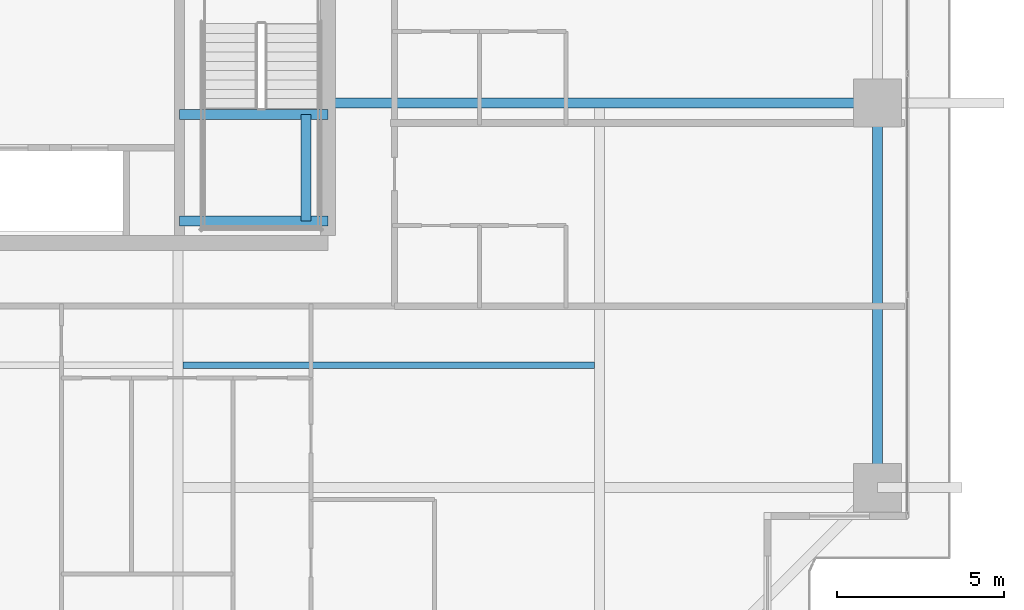
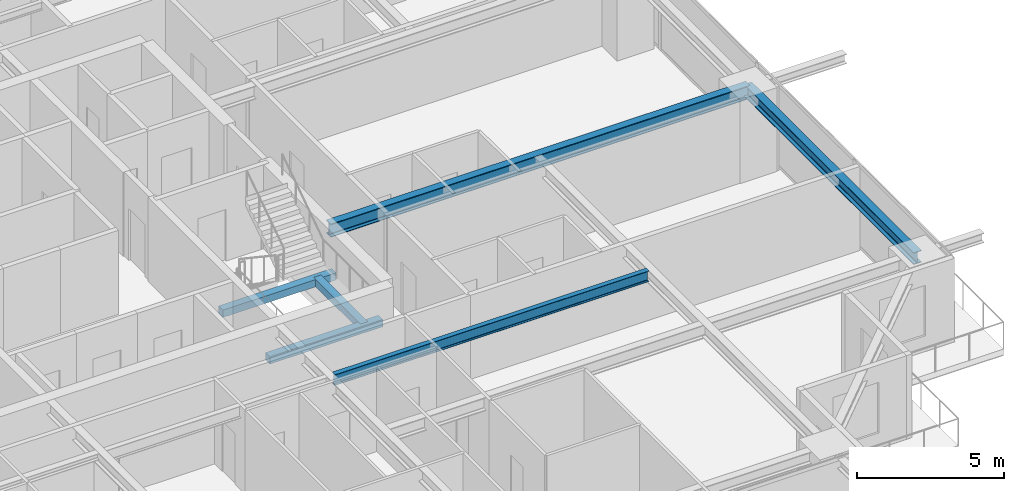
# One storey, part 14 of 40: 6 beams.
"""IFC4 building model written with IfcOpenShell, lengths in metres."""

from ifc_helpers import new_model, si_unit, direction, frame, origin, origin_2d, place, context, subcontext, project, spatial, rectangle, i_section, extrude, source, transform, mapped, material, material_profile, profile_set, type_object, element, save


model = new_model("IFC4")

# Units and contexts
model_context = context("Model", 3, precision=1e-05, world=origin(), true_north=direction((0.0, 1.0)))
body_context = subcontext(model_context, "Body", "Model", "MODEL_VIEW")
ifc_project = project(units=[si_unit("LENGTHUNIT", "METRE"), si_unit("AREAUNIT", "SQUARE_METRE"), si_unit("VOLUMEUNIT", "CUBIC_METRE"), si_unit("PLANEANGLEUNIT", "RADIAN"), si_unit("MASSUNIT", "GRAM", prefix="KILO")], contexts=[model_context])

# Site, building, storey
site_placement = place(None, origin())
site = spatial("IfcSite", under=ifc_project, at=site_placement, CompositionType="ELEMENT")
building_placement = place(site_placement, origin())
building = spatial("IfcBuilding", under=site, at=building_placement, Name="Serunith Strait Residences", CompositionType="ELEMENT")
storey_placement = place(building_placement, frame((0.0, 0.0, 90.449951171875)))
storey = spatial("IfcBuildingStorey", under=building, at=storey_placement, Name="L22", CompositionType="ELEMENT", Elevation=90.449951171875)

# Beams
ifc_material_1 = material(Name="Steel S355J2", Category="steel")
ifc_material_profile_1 = material_profile(ifc_material_1, i_section(OverallWidth=0.300048828125, OverallDepth=0.550048828125, WebThickness=0.014892578125, FlangeThickness=0.029052734375, FilletRadius=0.027099609375, at=origin_2d()), Name="HEB 550")
ifc_profile_set_1 = profile_set([ifc_material_profile_1], Name="Steel S355J2")
beam_type_1 = type_object("IfcBeamType", Name="BM-HEB550", PredefinedType="BEAM", material=ifc_profile_set_1)
shared_shape_1 = source(origin(), body_context, "Body", "SweptSolid", [
    extrude(i_section(OverallWidth=0.300048828125, OverallDepth=0.550048828125, WebThickness=0.014892578125, FlangeThickness=0.029052734375, FilletRadius=0.027099609375, at=origin_2d()), origin(), (0.0, 0.0, 1.0), 16.5),
])
beam_1_placement = place(storey_placement, frame((41.39990234375, 21.0, 3.212158203125), z_axis=(1.0, 0.0, 0.0), x_axis=(0.0, 1.0, 0.0)))
element("IfcBeam", 1, at=beam_1_placement, inside=storey, type_object=beam_type_1, Name="L22 Primary Floor Girder TC-E2", PredefinedType="BEAM", context=body_context, shape_type="MappedRepresentation", body=[
    mapped(shared_shape_1, transform((0.0, 0.0, 0.0), scale=1.0)),
])
ifc_material_profile_2 = material_profile(ifc_material_1, i_section(OverallWidth=0.300048828125, OverallDepth=0.5, WebThickness=0.014404296875, FlangeThickness=0.028076171875, FilletRadius=0.027099609375, at=origin_2d()), Name="HEB 500")
ifc_profile_set_2 = profile_set([ifc_material_profile_2], Name="Steel S355J2")
beam_type_2 = type_object("IfcBeamType", Name="BM-HEB500", PredefinedType="BEAM", material=ifc_profile_set_2)
shared_shape_2 = source(origin(), body_context, "Body", "SweptSolid", [
    extrude(i_section(OverallWidth=0.300048828125, OverallDepth=0.5, WebThickness=0.014404296875, FlangeThickness=0.028076171875, FilletRadius=0.027099609375, at=origin_2d()), origin(), (0.0, 0.0, 1.0), 11.550048828125),
])
beam_2_placement = place(storey_placement, frame((57.89990234375, 9.449951171875, 3.237060546875), z_axis=(0.0, 1.0, 0.0), x_axis=(-1.0, 0.0, 0.0)))
element("IfcBeam", 2, at=beam_2_placement, inside=storey, type_object=beam_type_2, Name="L22 Perimeter Ring Beam 05", PredefinedType="BEAM", context=body_context, shape_type="MappedRepresentation", body=[
    mapped(shared_shape_2, transform((0.0, 0.0, 0.0), scale=1.0)),
])
ifc_material_profile_3 = material_profile(ifc_material_1, i_section(OverallWidth=0.18994140625, OverallDepth=0.449951171875, WebThickness=0.009521484375, FlangeThickness=0.0146484375, FilletRadius=0.02099609375, at=origin_2d()), Name="IPE 450")
ifc_profile_set_3 = profile_set([ifc_material_profile_3], Name="Steel S355J2")
beam_type_3 = type_object("IfcBeamType", Name="BM-IPE450", PredefinedType="JOIST", material=ifc_profile_set_3)
shared_shape_3 = source(origin(), body_context, "Body", "SweptSolid", [
    extrude(i_section(OverallWidth=0.18994140625, OverallDepth=0.449951171875, WebThickness=0.009521484375, FlangeThickness=0.0146484375, FilletRadius=0.02099609375, at=origin_2d()), origin(), (0.0, 0.0, 1.0), 12.349853515625),
])
beam_3_placement = place(storey_placement, frame((37.050048828125, 13.125, 3.261962890625), z_axis=(1.0, 0.0, 0.0), x_axis=(0.0, 1.0, 0.0)))
element("IfcBeam", 3, at=beam_3_placement, inside=storey, type_object=beam_type_3, Name="L22 Composite Floor Joist 03", PredefinedType="JOIST", context=body_context, shape_type="MappedRepresentation", body=[
    mapped(shared_shape_3, transform((0.0, 0.0, 0.0), scale=1.0)),
])
ifc_material_2 = material(Name="Concrete C60/75", Category="concrete")
ifc_material_profile_4 = material_profile(ifc_material_2, rectangle(XDim=0.300048828125, YDim=0.300048828125, at=origin_2d()), Name="RC 300x300")
ifc_profile_set_4 = profile_set([ifc_material_profile_4], Name="Concrete C60/75")
beam_type_4 = type_object("IfcBeamType", Name="BM-LAND-300x300", PredefinedType="BEAM", material=ifc_profile_set_4)
shared_shape_4 = source(origin(), body_context, "Body", "SweptSolid", [
    extrude(rectangle(XDim=0.300048828125, YDim=0.300048828125, at=origin_2d()), origin(), (0.0, 0.0, 1.0), 3.199951171875),
])
beam_4_placement = place(storey_placement, frame((40.75, 17.449951171875, 1.525146484375), z_axis=(0.0, 1.0, 0.0), x_axis=(-1.0, 0.0, 0.0)))
element("IfcBeam", 4, at=beam_4_placement, inside=storey, type_object=beam_type_4, Name="L22 ST-2 Landing Transverse Tie Beam", PredefinedType="BEAM", context=body_context, shape_type="MappedRepresentation", body=[
    mapped(shared_shape_4, transform((0.0, 0.0, 0.0), scale=1.0)),
])
shared_shape_5 = source(origin(), body_context, "Body", "SweptSolid", [
    extrude(rectangle(XDim=0.300048828125, YDim=0.300048828125, at=origin_2d()), origin(), (0.0, 0.0, 1.0), 4.449951171875),
])
for number, where, z_axis, x_axis, name in (
    (5, (36.949951171875, 17.449951171875, 1.525146484375), (1.0, 0.0, 0.0), (0.0, 1.0, 0.0), "L22 ST-2 Landing Support Beam 1"),
    (6, (36.949951171875, 20.64990234375, 1.525146484375), (1.0, 0.0, 0.0), (0.0, 1.0, 0.0), "L22 ST-2 Landing Support Beam 2"),
):
    element("IfcBeam", number, at=place(storey_placement, frame(where, z_axis=z_axis, x_axis=x_axis)), inside=storey, type_object=beam_type_4, Name=name, PredefinedType="BEAM", context=body_context, shape_type="MappedRepresentation", body=[
        mapped(shared_shape_5, transform((0.0, 0.0, 0.0), scale=1.0)),
    ])

save(model, "model.ifc")
